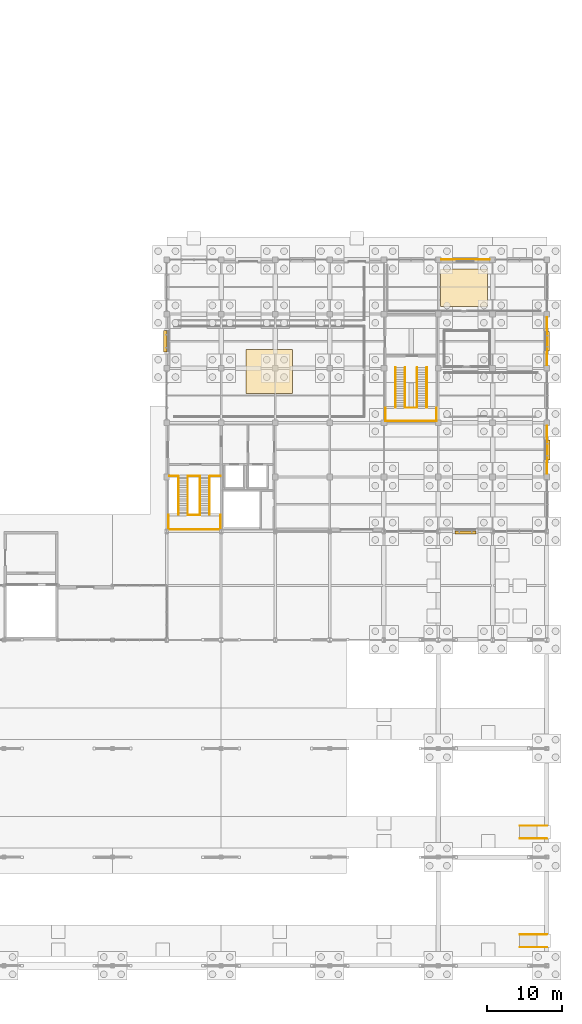
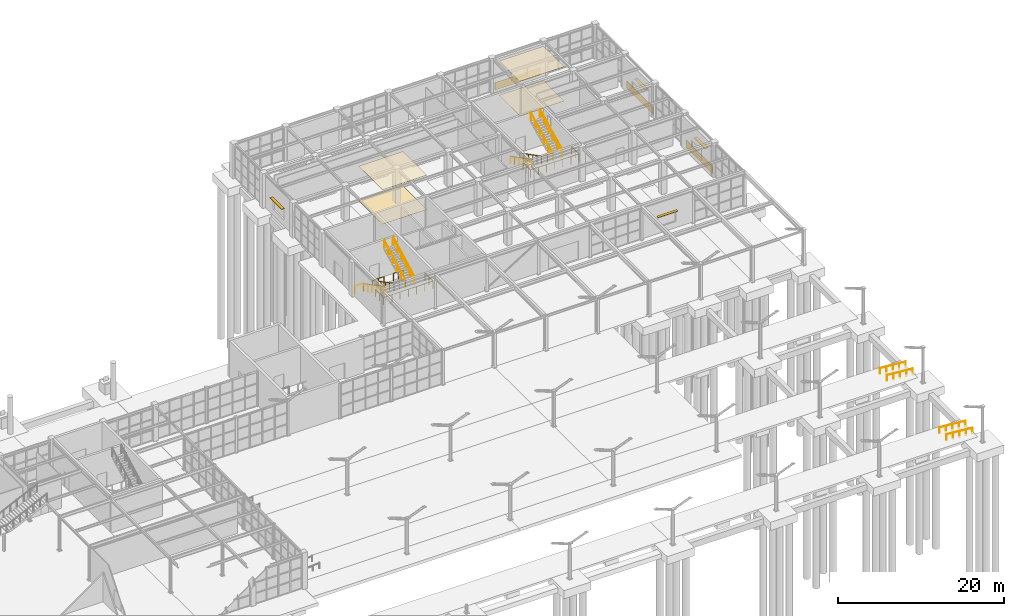
# One storey, part 74 of 75: 23 railings, 7 coverings, 4 shading devices.
"""IFC4 building model written with IfcOpenShell, lengths in metres."""

from ifc_helpers import new_model, si_unit, direction, frame, origin, origin_2d, place, context, subcontext, project, spatial, rectangle, circle, extrude, material, layer, layer_set, type_object, element, save


model = new_model("IFC4")

# Units and contexts
model_context = context("Model", 3, precision=1e-05, world=origin(), true_north=direction((0.0, 1.0)))
body_context = subcontext(model_context, "Body", "Model", "MODEL_VIEW")
ifc_project = project(units=[si_unit("LENGTHUNIT", "METRE"), si_unit("AREAUNIT", "SQUARE_METRE"), si_unit("VOLUMEUNIT", "CUBIC_METRE"), si_unit("PLANEANGLEUNIT", "RADIAN"), si_unit("MASSUNIT", "GRAM", prefix="KILO")], contexts=[model_context])

# Site, building, storey
site_placement = place(None, origin())
site = spatial("IfcSite", under=ifc_project, at=site_placement, CompositionType="ELEMENT")
building_placement = place(site_placement, origin())
building = spatial("IfcBuilding", under=site, at=building_placement, Name="Leyfeld Transit Interchange", CompositionType="ELEMENT")
storey_placement = place(building_placement, origin())
storey = spatial("IfcBuildingStorey", under=building, at=storey_placement, Name="L00", CompositionType="ELEMENT", Elevation=0.0)

# Coverings
ifc_material_1 = material(Name="Leitha limestone ashlar - Insulated", Category="masonry")
ifc_layer_1 = layer(ifc_material_1, 0.044921875, Name="Leitha limestone ashlar - Insulated")
ifc_layer_set_1 = layer_set([ifc_layer_1], Name="Leitha limestone ashlar - Insulated")
covering_type_1 = type_object("IfcCoveringType", Name="COV-CLD-STN", PredefinedType="CLADDING", material=ifc_layer_set_1)
for number, where, z_axis, x_axis, name in (
    (1, (176.39990234375, 93.6220703125, 0.0), (0.0, 0.0, 1.0), (1.0, 0.0, 0.0), "Limestone Plinth Cladding 014"),
    (2, (187.221923828125, 82.800048828125, 0.0), (0.0, 0.0, 1.0), (0.0, -1.0, 0.0), "Limestone Plinth Cladding 015"),
    (3, (187.221923828125, 68.39990234375, 0.0), (0.0, 0.0, 1.0), (0.0, -1.0, 0.0), "Limestone Plinth Cladding 016"),
):
    element("IfcCovering", number, at=place(storey_placement, frame(where, z_axis=z_axis, x_axis=x_axis)), inside=storey, type_object=covering_type_1, Name=name, PredefinedType="CLADDING", context=body_context, shape_type="SweptSolid", body=[
        extrude(rectangle(XDim=6.39990234375, YDim=0.044921875, at=origin_2d()), origin(), (0.0, 0.0, 1.0), 1.10009765625),
    ])
ifc_material_2 = material(Name="Austrian larch acoustic slat ceiling", Category="wood")
ifc_layer_2 = layer(ifc_material_2, 0.0400390625, Name="Austrian larch acoustic slat ceiling")
ifc_layer_set_2 = layer_set([ifc_layer_2], Name="Austrian larch acoustic slat ceiling")
covering_type_2 = type_object("IfcCoveringType", Name="COV-CLG-LRC", PredefinedType="CEILING", material=ifc_layer_set_2)
covering_1_placement = place(storey_placement, frame((176.199951171875, 89.89990234375, 5.06494140625), z_axis=(0.0, 0.0, 1.0), x_axis=(1.0, 0.0, 0.0)))
element("IfcCovering", 4, at=covering_1_placement, inside=storey, type_object=covering_type_2, Name="Acoustic Slat Ceiling Coach Passengers Quiet Waiting Lounge", PredefinedType="CEILING", context=body_context, shape_type="SweptSolid", body=[
    extrude(rectangle(XDim=6.199951171875, YDim=5.0, at=origin_2d()), origin(), (0.0, 0.0, 1.0), 0.0400390625),
])
covering_2_placement = place(storey_placement, frame((150.39990234375, 78.800048828125, 5.06494140625), z_axis=(0.0, 0.0, 1.0), x_axis=(1.0, 0.0, 0.0)))
element("IfcCovering", 5, at=covering_2_placement, inside=storey, type_object=covering_type_2, Name="Acoustic Slat Ceiling Coach Ticketing & Dispatch Counter", PredefinedType="CEILING", context=body_context, shape_type="SweptSolid", body=[
    extrude(rectangle(XDim=6.199951171875, YDim=5.800048828125, at=origin_2d()), origin(), (0.0, 0.0, 1.0), 0.0400390625),
])
ifc_material_3 = material(Name="Polished Danube terrazzo flooring", Category="stone")
ifc_layer_3 = layer(ifc_material_3, 0.030029296875, Name="Polished Danube terrazzo flooring")
ifc_layer_set_3 = layer_set([ifc_layer_3], Name="Polished Danube terrazzo flooring")
covering_type_3 = type_object("IfcCoveringType", Name="COV-FLR-TRZ", PredefinedType="FLOORING", material=ifc_layer_set_3)
covering_3_placement = place(storey_placement, frame((176.199951171875, 89.89990234375, 0.0), z_axis=(0.0, 0.0, 1.0), x_axis=(1.0, 0.0, 0.0)))
element("IfcCovering", 6, at=covering_3_placement, inside=storey, type_object=covering_type_3, Name="Terrazzo Flooring Coach Passengers Quiet Waiting Lounge", PredefinedType="FLOORING", context=body_context, shape_type="SweptSolid", body=[
    extrude(rectangle(XDim=6.199951171875, YDim=5.0, at=origin_2d()), origin(), (0.0, 0.0, 1.0), 0.030029296875),
])
covering_4_placement = place(storey_placement, frame((150.39990234375, 78.800048828125, 0.0), z_axis=(0.0, 0.0, 1.0), x_axis=(1.0, 0.0, 0.0)))
element("IfcCovering", 7, at=covering_4_placement, inside=storey, type_object=covering_type_3, Name="Terrazzo Flooring Coach Ticketing & Dispatch Counter", PredefinedType="FLOORING", context=body_context, shape_type="SweptSolid", body=[
    extrude(rectangle(XDim=6.199951171875, YDim=5.800048828125, at=origin_2d()), origin(), (0.0, 0.0, 1.0), 0.030029296875),
])

# Railings
ifc_material_4 = material(Name="Stainless steel EN 1.4404", Category="steel")
railing_type_1 = type_object("IfcRailingType", Name="RL-STR-GRD-1100", PredefinedType="GUARDRAIL", material=ifc_material_4)
railing_1_placement = place(storey_placement, frame((137.159912109375, 64.949951171875, 0.0)))
element("IfcRailing", 8, at=railing_1_placement, inside=storey, type_object=railing_type_1, Name="Stair ST-04 Landing Guard FLW L00", PredefinedType="GUARDRAIL", context=body_context, shape_type="SweptSolid", body=[
    extrude(circle(Radius=0.02392578125, at=origin_2d()), frame((0.0, 0.0, 1.09619140625), z_axis=(1.0, 0.0, 0.0), x_axis=(0.0, 1.0, 0.0)), (0.0, 0.0, 1.0), 1.14013671875),
    extrude(circle(Radius=0.02099609375, at=origin_2d()), origin(), (0.0, 0.0, 1.0), 1.072021484375),
    extrude(circle(Radius=0.02099609375, at=origin_2d()), frame((1.14013671875, 0.0, 0.0)), (0.0, 0.0, 1.0), 1.072021484375),
])
railing_2_placement = place(storey_placement, frame((139.60009765625, 64.949951171875, 0.0)))
element("IfcRailing", 9, at=railing_2_placement, inside=storey, type_object=railing_type_1, Name="Stair ST-04 Landing Guard EYE L00", PredefinedType="GUARDRAIL", context=body_context, shape_type="SweptSolid", body=[
    extrude(circle(Radius=0.02392578125, at=origin_2d()), frame((0.0, 0.0, 1.09619140625), z_axis=(1.0, 0.0, 0.0), x_axis=(0.0, 1.0, 0.0)), (0.0, 0.0, 1.0), 1.599853515625),
    extrude(circle(Radius=0.02099609375, at=origin_2d()), origin(), (0.0, 0.0, 1.0), 1.072021484375),
    extrude(circle(Radius=0.02099609375, at=origin_2d()), frame((0.7998046875, 0.0, 0.0)), (0.0, 0.0, 1.0), 1.072021484375),
    extrude(circle(Radius=0.02099609375, at=origin_2d()), frame((1.599853515625, 0.0, 0.0)), (0.0, 0.0, 1.0), 1.072021484375),
])
railing_3_placement = place(storey_placement, frame((142.5, 64.949951171875, 0.0)))
element("IfcRailing", 10, at=railing_3_placement, inside=storey, type_object=railing_type_1, Name="Stair ST-04 Landing Guard FLE L00", PredefinedType="GUARDRAIL", context=body_context, shape_type="SweptSolid", body=[
    extrude(circle(Radius=0.02392578125, at=origin_2d()), frame((0.0, 0.0, 1.09619140625), z_axis=(1.0, 0.0, 0.0), x_axis=(0.0, 1.0, 0.0)), (0.0, 0.0, 1.0), 1.449951171875),
    extrude(circle(Radius=0.02099609375, at=origin_2d()), origin(), (0.0, 0.0, 1.0), 1.072021484375),
    extrude(circle(Radius=0.02099609375, at=origin_2d()), frame((0.72509765625, 0.0, 0.0)), (0.0, 0.0, 1.0), 1.072021484375),
    extrude(circle(Radius=0.02099609375, at=origin_2d()), frame((1.449951171875, 0.0, 0.0)), (0.0, 0.0, 1.0), 1.072021484375),
])
railing_4_placement = place(storey_placement, frame((139.5849609375, 59.760009765625, 2.699951171875)))
element("IfcRailing", 11, at=railing_4_placement, inside=storey, type_object=railing_type_1, Name="Stair ST-04 L00 Half-Landing Inner Guard", PredefinedType="GUARDRAIL", context=body_context, shape_type="SweptSolid", body=[
    extrude(circle(Radius=0.02392578125, at=origin_2d()), frame((0.0, 0.0, 1.09619140625), z_axis=(1.0, 0.0, 0.0), x_axis=(0.0, 1.0, 0.0)), (0.0, 0.0, 1.0), 1.630126953125),
    extrude(circle(Radius=0.02099609375, at=origin_2d()), origin(), (0.0, 0.0, 1.0), 1.072021484375),
    extrude(circle(Radius=0.02099609375, at=origin_2d()), frame((0.81494140625, 0.0, 0.0)), (0.0, 0.0, 1.0), 1.072021484375),
    extrude(circle(Radius=0.02099609375, at=origin_2d()), frame((1.630126953125, 0.0, 0.0)), (0.0, 0.0, 1.0), 1.072021484375),
])
railing_5_placement = place(storey_placement, frame((137.030029296875, 59.760009765625, 2.699951171875)))
element("IfcRailing", 12, at=railing_5_placement, inside=storey, type_object=railing_type_1, Name="Stair ST-04 L00 Half-Landing Perimeter Guard", PredefinedType="GUARDRAIL", context=body_context, shape_type="SweptSolid", body=[
    extrude(circle(Radius=0.02392578125, at=origin_2d()), frame((0.0, 0.0, 1.09619140625), z_axis=(0.0, -1.0, 0.0), x_axis=(1.0, 0.0, 0.0)), (0.0, 0.0, 1.0), 1.929931640625),
    extrude(circle(Radius=0.02392578125, at=origin_2d()), frame((0.0, -1.929931640625, 1.09619140625), z_axis=(1.0, 0.0, 0.0), x_axis=(0.0, 1.0, 0.0)), (0.0, 0.0, 1.0), 6.889892578125),
    extrude(circle(Radius=0.02392578125, at=origin_2d()), frame((6.889892578125, -1.929931640625, 1.09619140625), z_axis=(0.0, 1.0, 0.0), x_axis=(-1.0, 0.0, 0.0)), (0.0, 0.0, 1.0), 1.929931640625),
    extrude(circle(Radius=0.02099609375, at=origin_2d()), origin(), (0.0, 0.0, 1.0), 1.072021484375),
    extrude(circle(Radius=0.02099609375, at=origin_2d()), frame((0.0, -0.96484375, 0.0)), (0.0, 0.0, 1.0), 1.072021484375),
    extrude(circle(Radius=0.02099609375, at=origin_2d()), frame((0.0, -1.929931640625, 0.0)), (0.0, 0.0, 1.0), 1.072021484375),
    extrude(circle(Radius=0.02099609375, at=origin_2d()), frame((1.1484375, -1.929931640625, 0.0)), (0.0, 0.0, 1.0), 1.072021484375),
    extrude(circle(Radius=0.02099609375, at=origin_2d()), frame((2.296630859375, -1.929931640625, 0.0)), (0.0, 0.0, 1.0), 1.072021484375),
    extrude(circle(Radius=0.02099609375, at=origin_2d()), frame((3.44482421875, -1.929931640625, 0.0)), (0.0, 0.0, 1.0), 1.072021484375),
    extrude(circle(Radius=0.02099609375, at=origin_2d()), frame((4.59326171875, -1.929931640625, 0.0)), (0.0, 0.0, 1.0), 1.072021484375),
    extrude(circle(Radius=0.02099609375, at=origin_2d()), frame((5.74169921875, -1.929931640625, 0.0)), (0.0, 0.0, 1.0), 1.072021484375),
    extrude(circle(Radius=0.02099609375, at=origin_2d()), frame((6.889892578125, -1.929931640625, 0.0)), (0.0, 0.0, 1.0), 1.072021484375),
    extrude(circle(Radius=0.02099609375, at=origin_2d()), frame((6.889892578125, -0.96484375, 0.0)), (0.0, 0.0, 1.0), 1.072021484375),
    extrude(circle(Radius=0.02099609375, at=origin_2d()), frame((6.889892578125, 0.0, 0.0)), (0.0, 0.0, 1.0), 1.072021484375),
])
for number, where, name in (
    (13, (139.5849609375, 64.89990234375, 0.0), "Stair ST-04 L00 F1 Inner Guard"),
    (14, (138.31494140625, 64.89990234375, 0.0), "Stair ST-04 L00 F1 Outer Guard"),
):
    element("IfcRailing", number, at=place(storey_placement, frame(where)), inside=storey, type_object=railing_type_1, Name=name, PredefinedType="GUARDRAIL", context=body_context, shape_type="SweptSolid", body=[
        extrude(circle(Radius=0.02392578125, at=origin_2d()), frame((0.0, 0.0, 1.09619140625), z_axis=(0.0, -0.883785858079, 0.467891608238), x_axis=(1.0, 0.0, 0.0)), (0.0, 0.0, 1.0), 5.7705078125),
        extrude(circle(Radius=0.02099609375, at=origin_2d()), origin(), (0.0, 0.0, 1.0), 1.072021484375),
        extrude(circle(Radius=0.02099609375, at=origin_2d()), frame((0.0, -1.02001953125, 0.5400390625)), (0.0, 0.0, 1.0), 1.072021484375),
        extrude(circle(Radius=0.02099609375, at=origin_2d()), frame((0.0, -2.0400390625, 1.080078125)), (0.0, 0.0, 1.0), 1.072021484375),
        extrude(circle(Radius=0.02099609375, at=origin_2d()), frame((0.0, -3.059814453125, 1.619873046875)), (0.0, 0.0, 1.0), 1.072021484375),
        extrude(circle(Radius=0.02099609375, at=origin_2d()), frame((0.0, -4.079833984375, 2.159912109375)), (0.0, 0.0, 1.0), 1.072021484375),
        extrude(circle(Radius=0.02099609375, at=origin_2d()), frame((0.0, -5.099853515625, 2.699951171875)), (0.0, 0.0, 1.0), 1.072021484375),
    ])
for number, where, name in (
    (15, (141.215087890625, 59.800048828125, 2.699951171875), "Stair ST-04 L00 F2 Inner Guard"),
    (16, (142.485107421875, 59.800048828125, 2.699951171875), "Stair ST-04 L00 F2 Outer Guard"),
):
    element("IfcRailing", number, at=place(storey_placement, frame(where)), inside=storey, type_object=railing_type_1, Name=name, PredefinedType="GUARDRAIL", context=body_context, shape_type="SweptSolid", body=[
        extrude(circle(Radius=0.02392578125, at=origin_2d()), frame((0.0, 0.0, 1.09619140625), z_axis=(0.0, 0.883785858079, 0.467891608238), x_axis=(-1.0, 0.0, 0.0)), (0.0, 0.0, 1.0), 5.7705078125),
        extrude(circle(Radius=0.02099609375, at=origin_2d()), origin(), (0.0, 0.0, 1.0), 1.072021484375),
        extrude(circle(Radius=0.02099609375, at=origin_2d()), frame((0.0, 1.02001953125, 0.5400390625)), (0.0, 0.0, 1.0), 1.072021484375),
        extrude(circle(Radius=0.02099609375, at=origin_2d()), frame((0.0, 2.0400390625, 1.080078125)), (0.0, 0.0, 1.0), 1.072021484375),
        extrude(circle(Radius=0.02099609375, at=origin_2d()), frame((0.0, 3.059814453125, 1.619873046875)), (0.0, 0.0, 1.0), 1.072021484375),
        extrude(circle(Radius=0.02099609375, at=origin_2d()), frame((0.0, 4.079833984375, 2.159912109375)), (0.0, 0.0, 1.0), 1.072021484375),
        extrude(circle(Radius=0.02099609375, at=origin_2d()), frame((0.0, 5.099853515625, 2.699951171875)), (0.0, 0.0, 1.0), 1.072021484375),
    ])
railing_6_placement = place(storey_placement, frame((168.409912109375, 73.989990234375, 2.699951171875)))
element("IfcRailing", 17, at=railing_6_placement, inside=storey, type_object=railing_type_1, Name="Stair ST-05 L00 Half-Landing Inner Guard", PredefinedType="GUARDRAIL", context=body_context, shape_type="SweptSolid", body=[
    extrude(circle(Radius=0.02392578125, at=origin_2d()), frame((0.0, 0.0, 1.09619140625), z_axis=(1.0, 0.0, 0.0), x_axis=(0.0, 1.0, 0.0)), (0.0, 0.0, 1.0), 1.580078125),
    extrude(circle(Radius=0.02099609375, at=origin_2d()), origin(), (0.0, 0.0, 1.0), 1.072021484375),
    extrude(circle(Radius=0.02099609375, at=origin_2d()), frame((0.7900390625, 0.0, 0.0)), (0.0, 0.0, 1.0), 1.072021484375),
    extrude(circle(Radius=0.02099609375, at=origin_2d()), frame((1.580078125, 0.0, 0.0)), (0.0, 0.0, 1.0), 1.072021484375),
])
railing_7_placement = place(storey_placement, frame((165.81494140625, 73.989990234375, 2.699951171875)))
element("IfcRailing", 18, at=railing_7_placement, inside=storey, type_object=railing_type_1, Name="Stair ST-05 L00 Half-Landing Perimeter Guard", PredefinedType="GUARDRAIL", context=body_context, shape_type="SweptSolid", body=[
    extrude(circle(Radius=0.02392578125, at=origin_2d()), frame((0.0, 0.0, 1.09619140625), z_axis=(0.0, -1.0, 0.0), x_axis=(1.0, 0.0, 0.0)), (0.0, 0.0, 1.0), 1.77490234375),
    extrude(circle(Radius=0.02392578125, at=origin_2d()), frame((0.0, -1.77490234375, 1.09619140625), z_axis=(1.0, 0.0, 0.0), x_axis=(0.0, 1.0, 0.0)), (0.0, 0.0, 1.0), 6.77001953125),
    extrude(circle(Radius=0.02392578125, at=origin_2d()), frame((6.77001953125, -1.77490234375, 1.09619140625), z_axis=(0.0, 1.0, 0.0), x_axis=(-1.0, 0.0, 0.0)), (0.0, 0.0, 1.0), 1.77490234375),
    extrude(circle(Radius=0.02099609375, at=origin_2d()), origin(), (0.0, 0.0, 1.0), 1.072021484375),
    extrude(circle(Radius=0.02099609375, at=origin_2d()), frame((0.0, -0.887451171875, 0.0)), (0.0, 0.0, 1.0), 1.072021484375),
    extrude(circle(Radius=0.02099609375, at=origin_2d()), frame((0.0, -1.77490234375, 0.0)), (0.0, 0.0, 1.0), 1.072021484375),
    extrude(circle(Radius=0.02099609375, at=origin_2d()), frame((1.12841796875, -1.77490234375, 0.0)), (0.0, 0.0, 1.0), 1.072021484375),
    extrude(circle(Radius=0.02099609375, at=origin_2d()), frame((2.256591796875, -1.77490234375, 0.0)), (0.0, 0.0, 1.0), 1.072021484375),
    extrude(circle(Radius=0.02099609375, at=origin_2d()), frame((3.385009765625, -1.77490234375, 0.0)), (0.0, 0.0, 1.0), 1.072021484375),
    extrude(circle(Radius=0.02099609375, at=origin_2d()), frame((4.513427734375, -1.77490234375, 0.0)), (0.0, 0.0, 1.0), 1.072021484375),
    extrude(circle(Radius=0.02099609375, at=origin_2d()), frame((5.6416015625, -1.77490234375, 0.0)), (0.0, 0.0, 1.0), 1.072021484375),
    extrude(circle(Radius=0.02099609375, at=origin_2d()), frame((6.77001953125, -1.77490234375, 0.0)), (0.0, 0.0, 1.0), 1.072021484375),
    extrude(circle(Radius=0.02099609375, at=origin_2d()), frame((6.77001953125, -0.887451171875, 0.0)), (0.0, 0.0, 1.0), 1.072021484375),
    extrude(circle(Radius=0.02099609375, at=origin_2d()), frame((6.77001953125, 0.0, 0.0)), (0.0, 0.0, 1.0), 1.072021484375),
])
for number, where, name in (
    (19, (168.409912109375, 79.300048828125, 0.0), "Stair ST-05 L00 F1 Inner Guard"),
    (20, (167.090087890625, 79.300048828125, 0.0), "Stair ST-05 L00 F1 Outer Guard"),
):
    element("IfcRailing", number, at=place(storey_placement, frame(where)), inside=storey, type_object=railing_type_1, Name=name, PredefinedType="GUARDRAIL", context=body_context, shape_type="SweptSolid", body=[
        extrude(circle(Radius=0.02392578125, at=origin_2d()), frame((0.0, 0.0, 1.09619140625), z_axis=(0.0, -0.889997253095, 0.455965886314), x_axis=(1.0, 0.0, 0.0)), (0.0, 0.0, 1.0), 5.92138671875),
        extrude(circle(Radius=0.02099609375, at=origin_2d()), origin(), (0.0, 0.0, 1.0), 1.072021484375),
        extrude(circle(Radius=0.02099609375, at=origin_2d()), frame((0.0, -1.053955078125, 0.5400390625)), (0.0, 0.0, 1.0), 1.072021484375),
        extrude(circle(Radius=0.02099609375, at=origin_2d()), frame((0.0, -2.10791015625, 1.080078125)), (0.0, 0.0, 1.0), 1.072021484375),
        extrude(circle(Radius=0.02099609375, at=origin_2d()), frame((0.0, -3.162109375, 1.619873046875)), (0.0, 0.0, 1.0), 1.072021484375),
        extrude(circle(Radius=0.02099609375, at=origin_2d()), frame((0.0, -4.216064453125, 2.159912109375)), (0.0, 0.0, 1.0), 1.072021484375),
        extrude(circle(Radius=0.02099609375, at=origin_2d()), frame((0.0, -5.27001953125, 2.699951171875)), (0.0, 0.0, 1.0), 1.072021484375),
    ])
for number, where, name in (
    (21, (169.989990234375, 74.030029296875, 2.699951171875), "Stair ST-05 L00 F2 Inner Guard"),
    (22, (171.31005859375, 74.030029296875, 2.699951171875), "Stair ST-05 L00 F2 Outer Guard"),
):
    element("IfcRailing", number, at=place(storey_placement, frame(where)), inside=storey, type_object=railing_type_1, Name=name, PredefinedType="GUARDRAIL", context=body_context, shape_type="SweptSolid", body=[
        extrude(circle(Radius=0.02392578125, at=origin_2d()), frame((0.0, 0.0, 1.09619140625), z_axis=(0.0, 0.889997253095, 0.455965886314), x_axis=(-1.0, 0.0, 0.0)), (0.0, 0.0, 1.0), 5.92138671875),
        extrude(circle(Radius=0.02099609375, at=origin_2d()), origin(), (0.0, 0.0, 1.0), 1.072021484375),
        extrude(circle(Radius=0.02099609375, at=origin_2d()), frame((0.0, 1.053955078125, 0.5400390625)), (0.0, 0.0, 1.0), 1.072021484375),
        extrude(circle(Radius=0.02099609375, at=origin_2d()), frame((0.0, 2.10791015625, 1.080078125)), (0.0, 0.0, 1.0), 1.072021484375),
        extrude(circle(Radius=0.02099609375, at=origin_2d()), frame((0.0, 3.162109375, 1.619873046875)), (0.0, 0.0, 1.0), 1.072021484375),
        extrude(circle(Radius=0.02099609375, at=origin_2d()), frame((0.0, 4.216064453125, 2.159912109375)), (0.0, 0.0, 1.0), 1.072021484375),
        extrude(circle(Radius=0.02099609375, at=origin_2d()), frame((0.0, 5.27001953125, 2.699951171875)), (0.0, 0.0, 1.0), 1.072021484375),
    ])
railing_type_2 = type_object("IfcRailingType", Name="RL-STR-HND-900", PredefinedType="HANDRAIL", material=ifc_material_4)
railing_8_placement = place(storey_placement, frame((138.375, 64.89990234375, 0.0)))
element("IfcRailing", 23, at=railing_8_placement, inside=storey, type_object=railing_type_2, Name="Stair ST-04 L00 F1 Handrail", PredefinedType="HANDRAIL", context=body_context, shape_type="SweptSolid", body=[
    extrude(circle(Radius=0.02392578125, at=origin_2d()), frame((0.0, 0.0, 0.8759765625), z_axis=(0.0, -0.883785858079, 0.467891608238), x_axis=(1.0, 0.0, 0.0)), (0.0, 0.0, 1.0), 5.7705078125),
    extrude(circle(Radius=0.02099609375, at=origin_2d()), origin(), (0.0, 0.0, 1.0), 0.851806640625),
    extrude(circle(Radius=0.02099609375, at=origin_2d()), frame((0.0, -1.02001953125, 0.5400390625)), (0.0, 0.0, 1.0), 0.851806640625),
    extrude(circle(Radius=0.02099609375, at=origin_2d()), frame((0.0, -2.0400390625, 1.080078125)), (0.0, 0.0, 1.0), 0.851806640625),
    extrude(circle(Radius=0.02099609375, at=origin_2d()), frame((0.0, -3.059814453125, 1.619873046875)), (0.0, 0.0, 1.0), 0.851806640625),
    extrude(circle(Radius=0.02099609375, at=origin_2d()), frame((0.0, -4.079833984375, 2.159912109375)), (0.0, 0.0, 1.0), 0.851806640625),
    extrude(circle(Radius=0.02099609375, at=origin_2d()), frame((0.0, -5.099853515625, 2.699951171875)), (0.0, 0.0, 1.0), 0.851806640625),
])
railing_9_placement = place(storey_placement, frame((142.425048828125, 59.800048828125, 2.699951171875)))
element("IfcRailing", 24, at=railing_9_placement, inside=storey, type_object=railing_type_2, Name="Stair ST-04 L00 F2 Handrail", PredefinedType="HANDRAIL", context=body_context, shape_type="SweptSolid", body=[
    extrude(circle(Radius=0.02392578125, at=origin_2d()), frame((0.0, 0.0, 0.8759765625), z_axis=(0.0, 0.883785858079, 0.467891608238), x_axis=(-1.0, 0.0, 0.0)), (0.0, 0.0, 1.0), 5.7705078125),
    extrude(circle(Radius=0.02099609375, at=origin_2d()), origin(), (0.0, 0.0, 1.0), 0.851806640625),
    extrude(circle(Radius=0.02099609375, at=origin_2d()), frame((0.0, 1.02001953125, 0.5400390625)), (0.0, 0.0, 1.0), 0.851806640625),
    extrude(circle(Radius=0.02099609375, at=origin_2d()), frame((0.0, 2.0400390625, 1.080078125)), (0.0, 0.0, 1.0), 0.851806640625),
    extrude(circle(Radius=0.02099609375, at=origin_2d()), frame((0.0, 3.059814453125, 1.619873046875)), (0.0, 0.0, 1.0), 0.851806640625),
    extrude(circle(Radius=0.02099609375, at=origin_2d()), frame((0.0, 4.079833984375, 2.159912109375)), (0.0, 0.0, 1.0), 0.851806640625),
    extrude(circle(Radius=0.02099609375, at=origin_2d()), frame((0.0, 5.099853515625, 2.699951171875)), (0.0, 0.0, 1.0), 0.851806640625),
])
railing_10_placement = place(storey_placement, frame((167.14990234375, 79.300048828125, 0.0)))
element("IfcRailing", 25, at=railing_10_placement, inside=storey, type_object=railing_type_2, Name="Stair ST-05 L00 F1 Handrail", PredefinedType="HANDRAIL", context=body_context, shape_type="SweptSolid", body=[
    extrude(circle(Radius=0.02392578125, at=origin_2d()), frame((0.0, 0.0, 0.8759765625), z_axis=(0.0, -0.889997253095, 0.455965886314), x_axis=(1.0, 0.0, 0.0)), (0.0, 0.0, 1.0), 5.92138671875),
    extrude(circle(Radius=0.02099609375, at=origin_2d()), origin(), (0.0, 0.0, 1.0), 0.851806640625),
    extrude(circle(Radius=0.02099609375, at=origin_2d()), frame((0.0, -1.053955078125, 0.5400390625)), (0.0, 0.0, 1.0), 0.851806640625),
    extrude(circle(Radius=0.02099609375, at=origin_2d()), frame((0.0, -2.10791015625, 1.080078125)), (0.0, 0.0, 1.0), 0.851806640625),
    extrude(circle(Radius=0.02099609375, at=origin_2d()), frame((0.0, -3.162109375, 1.619873046875)), (0.0, 0.0, 1.0), 0.851806640625),
    extrude(circle(Radius=0.02099609375, at=origin_2d()), frame((0.0, -4.216064453125, 2.159912109375)), (0.0, 0.0, 1.0), 0.851806640625),
    extrude(circle(Radius=0.02099609375, at=origin_2d()), frame((0.0, -5.27001953125, 2.699951171875)), (0.0, 0.0, 1.0), 0.851806640625),
])
railing_11_placement = place(storey_placement, frame((171.25, 74.030029296875, 2.699951171875)))
element("IfcRailing", 26, at=railing_11_placement, inside=storey, type_object=railing_type_2, Name="Stair ST-05 L00 F2 Handrail", PredefinedType="HANDRAIL", context=body_context, shape_type="SweptSolid", body=[
    extrude(circle(Radius=0.02392578125, at=origin_2d()), frame((0.0, 0.0, 0.8759765625), z_axis=(0.0, 0.889997253095, 0.455965886314), x_axis=(-1.0, 0.0, 0.0)), (0.0, 0.0, 1.0), 5.92138671875),
    extrude(circle(Radius=0.02099609375, at=origin_2d()), origin(), (0.0, 0.0, 1.0), 0.851806640625),
    extrude(circle(Radius=0.02099609375, at=origin_2d()), frame((0.0, 1.053955078125, 0.5400390625)), (0.0, 0.0, 1.0), 0.851806640625),
    extrude(circle(Radius=0.02099609375, at=origin_2d()), frame((0.0, 2.10791015625, 1.080078125)), (0.0, 0.0, 1.0), 0.851806640625),
    extrude(circle(Radius=0.02099609375, at=origin_2d()), frame((0.0, 3.162109375, 1.619873046875)), (0.0, 0.0, 1.0), 0.851806640625),
    extrude(circle(Radius=0.02099609375, at=origin_2d()), frame((0.0, 4.216064453125, 2.159912109375)), (0.0, 0.0, 1.0), 0.851806640625),
    extrude(circle(Radius=0.02099609375, at=origin_2d()), frame((0.0, 5.27001953125, 2.699951171875)), (0.0, 0.0, 1.0), 0.851806640625),
])
for number, where, name in (
    (27, (187.199951171875, 2.449951171875, -0.300048828125), "Accessible Ramp ISL1E Handrail S"),
    (28, (187.199951171875, 4.14990234375, -0.300048828125), "Accessible Ramp ISL1E Handrail N"),
    (29, (187.199951171875, 16.85009765625, -0.300048828125), "Accessible Ramp ISL2E Handrail S"),
    (30, (187.199951171875, 18.550048828125, -0.300048828125), "Accessible Ramp ISL2E Handrail N"),
):
    element("IfcRailing", number, at=place(storey_placement, frame(where)), inside=storey, type_object=railing_type_2, Name=name, PredefinedType="HANDRAIL", context=body_context, shape_type="SweptSolid", body=[
        extrude(circle(Radius=0.02392578125, at=origin_2d()), frame((0.0, 0.0, 0.8759765625), z_axis=(-0.996544359788, 0.0, 0.083062259626), x_axis=(0.0, -1.0, 0.0)), (0.0, 0.0, 1.0), 3.6123046875),
        extrude(circle(Radius=0.02099609375, at=origin_2d()), origin(), (0.0, 0.0, 1.0), 0.851806640625),
        extrude(circle(Radius=0.02099609375, at=origin_2d()), frame((-0.89990234375, 0.0, 0.074951171875)), (0.0, 0.0, 1.0), 0.851806640625),
        extrude(circle(Radius=0.02099609375, at=origin_2d()), frame((-1.7998046875, 0.0, 0.14990234375)), (0.0, 0.0, 1.0), 0.851806640625),
        extrude(circle(Radius=0.02099609375, at=origin_2d()), frame((-2.699951171875, 0.0, 0.22509765625)), (0.0, 0.0, 1.0), 0.851806640625),
        extrude(circle(Radius=0.02099609375, at=origin_2d()), frame((-3.599853515625, 0.0, 0.300048828125)), (0.0, 0.0, 1.0), 0.851806640625),
    ])

# Shading devices
ifc_material_5 = material(Name="Anodised aluminium EN AW-6060 T66", Category="aluminium")
ifc_layer_4 = layer(ifc_material_5, 0.054931640625, Name="Anodised aluminium EN AW-6060 T66")
ifc_layer_set_4 = layer_set([ifc_layer_4], Name="Anodised aluminium EN AW-6060 T66")
shading_device_type_1 = type_object("IfcShadingDeviceType", Name="SHD-ALU-380", PredefinedType="JALOUSIE", material=ifc_layer_set_4)
shading_device_1_placement = place(storey_placement, frame((187.3701171875, 82.800048828125, 2.47265625), z_axis=(0.0, 0.0, 1.0), x_axis=(0.0, -1.0, 0.0)))
element("IfcShadingDevice", 31, at=shading_device_1_placement, inside=storey, type_object=shading_device_type_1, Name="Prairie Solar Shading Fin 008", PredefinedType="JALOUSIE", context=body_context, shape_type="SweptSolid", body=[
    extrude(rectangle(XDim=2.550048828125, YDim=0.3798828125, at=origin_2d()), origin(), (0.0, 0.0, 1.0), 0.054931640625),
])
shading_device_2_placement = place(storey_placement, frame((176.39990234375, 57.429931640625, 2.57275390625), z_axis=(0.0, 0.0, 1.0), x_axis=(-1.0, 0.0, 0.0)))
element("IfcShadingDevice", 32, at=shading_device_2_placement, inside=storey, type_object=shading_device_type_1, Name="Prairie Solar Shading Fin 010", PredefinedType="JALOUSIE", context=body_context, shape_type="SweptSolid", body=[
    extrude(rectangle(XDim=2.75, YDim=0.3798828125, at=origin_2d()), origin(), (0.0, 0.0, 1.0), 0.054931640625),
])
ifc_material_6 = material(Name="Austrian larch glulam GL28h", Category="wood")
ifc_layer_5 = layer(ifc_material_6, 0.06494140625, Name="Austrian larch glulam GL28h")
ifc_layer_set_5 = layer_set([ifc_layer_5], Name="Austrian larch glulam GL28h")
shading_device_type_2 = type_object("IfcShadingDeviceType", Name="SHD-LRC-450", PredefinedType="JALOUSIE", material=ifc_layer_set_5)
shading_device_3_placement = place(storey_placement, frame((187.405029296875, 68.39990234375, 2.517578125), z_axis=(0.0, 0.0, 1.0), x_axis=(0.0, -1.0, 0.0)))
element("IfcShadingDevice", 33, at=shading_device_3_placement, inside=storey, type_object=shading_device_type_2, Name="Prairie Solar Shading Fin 009", PredefinedType="JALOUSIE", context=body_context, shape_type="SweptSolid", body=[
    extrude(rectangle(XDim=2.64990234375, YDim=0.449951171875, at=origin_2d()), origin(), (0.0, 0.0, 1.0), 0.06494140625),
])
shading_device_4_placement = place(storey_placement, frame((136.594970703125, 82.800048828125, 2.66748046875), z_axis=(0.0, 0.0, 1.0), x_axis=(0.0, 1.0, 0.0)))
element("IfcShadingDevice", 34, at=shading_device_4_placement, inside=storey, type_object=shading_device_type_2, Name="Prairie Solar Shading Fin 011", PredefinedType="JALOUSIE", context=body_context, shape_type="SweptSolid", body=[
    extrude(rectangle(XDim=2.85009765625, YDim=0.449951171875, at=origin_2d()), origin(), (0.0, 0.0, 1.0), 0.06494140625),
])

save(model, "model.ifc")
